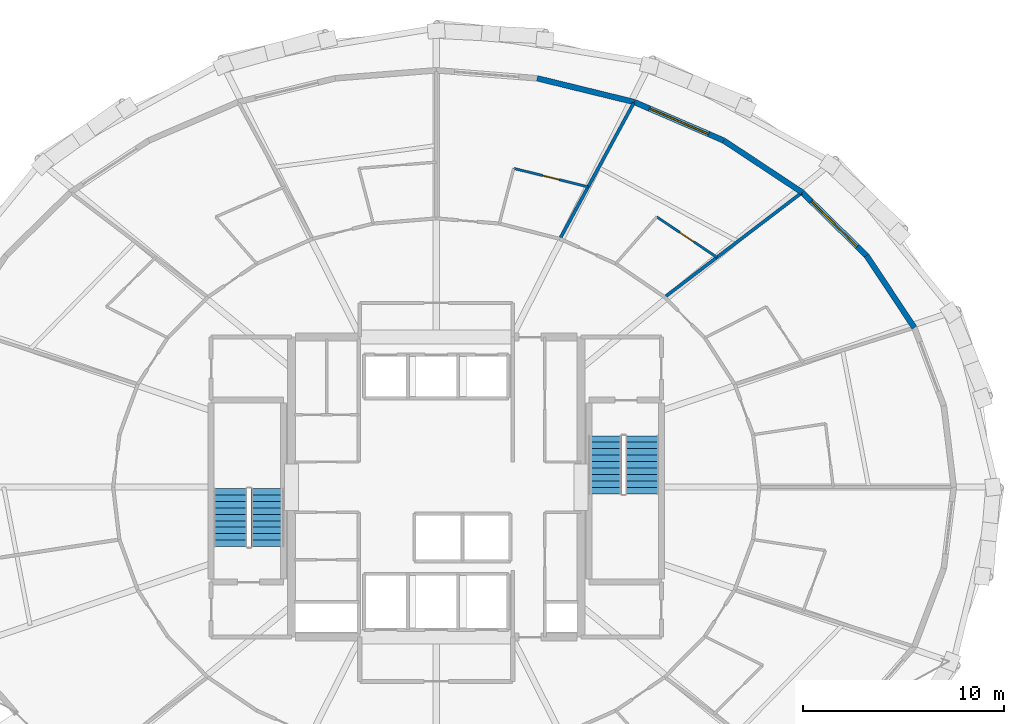
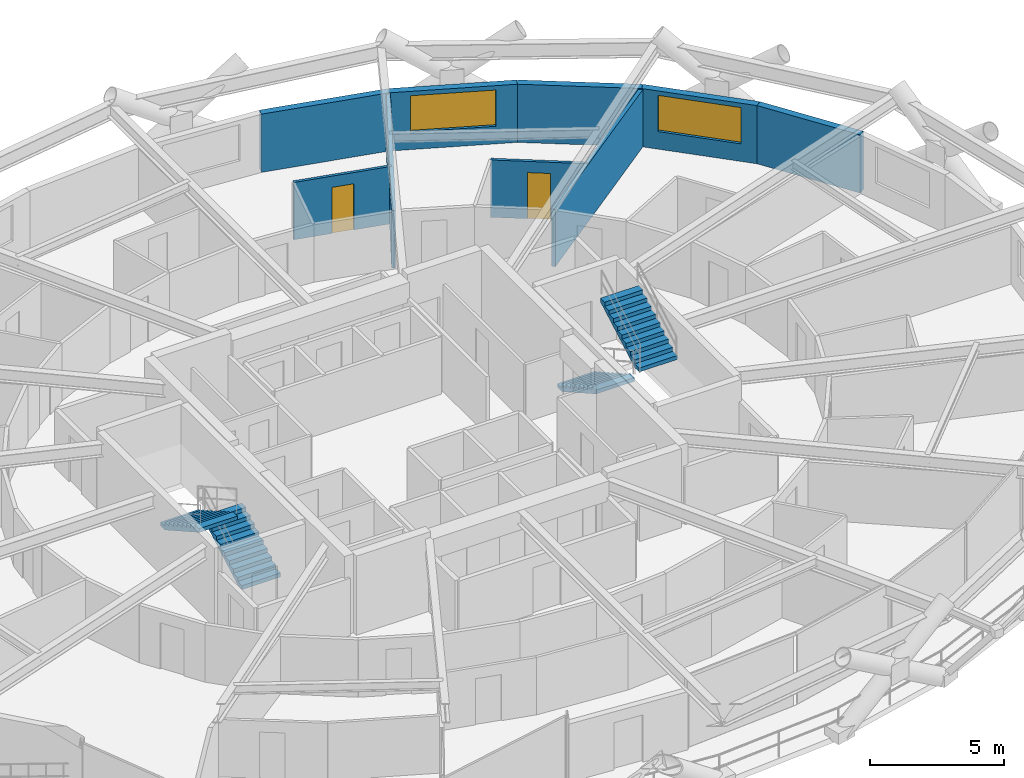
# One storey, part 17 of 19: 9 walls, 4 stair flights, 2 doors, 2 windows, 4 openings, 2 elements without a shape of their own.
"""IFC4 building model written with IfcOpenShell, lengths in metres."""

from ifc_helpers import new_model, si_unit, direction, frame, frame_2d, origin, place, context, subcontext, project, spatial, polyline, rectangle, outline, extrude, material, layer, layer_set, type_object, element, fill, aggregate, save


model = new_model("IFC4")

# Units and contexts
model_context = context("Model", 3, precision=1e-05, world=origin(), true_north=direction((0.0, 1.0)))
body_context = subcontext(model_context, "Body", "Model", "MODEL_VIEW")
ifc_project = project(units=[si_unit("LENGTHUNIT", "METRE"), si_unit("AREAUNIT", "SQUARE_METRE"), si_unit("VOLUMEUNIT", "CUBIC_METRE"), si_unit("PLANEANGLEUNIT", "RADIAN"), si_unit("MASSUNIT", "GRAM", prefix="KILO")], contexts=[model_context])

# Site, building, storey
site_placement = place(None, origin())
site = spatial("IfcSite", under=ifc_project, at=site_placement, CompositionType="ELEMENT")
building_placement = place(site_placement, origin())
building = spatial("IfcBuilding", under=site, at=building_placement, Name="Veldorina Hangang Commons", CompositionType="ELEMENT")
storey_placement = place(building_placement, frame((0.0, 0.0, 34.0)))
storey = spatial("IfcBuildingStorey", under=building, at=storey_placement, Name="L07", CompositionType="ELEMENT", Elevation=34.0)

# Wall
ifc_material_1 = material(Name="Stone Roman Travertine", Category="masonry")
ifc_layer_1 = layer(ifc_material_1, 0.280029296875)
ifc_layer_set_1 = layer_set([ifc_layer_1], Name="Stone Roman Travertine")
wall_type_1 = type_object("IfcWallType", Name="EW-TRAV-280", PredefinedType="STANDARD", material=ifc_layer_set_1)
wall_1_placement = place(storey_placement, frame((55.7509765625, 31.924560546875, 0.0), z_axis=(0.0, 0.0, 1.0), x_axis=(-0.55292873667, 0.833228547377, 0.0)))
element("IfcWall", 1, at=wall_1_placement, inside=storey, type_object=wall_type_1, Name="L07 travertine facade wall 02", PredefinedType="STANDARD", context=body_context, shape_type="SweptSolid", body=[
    extrude(rectangle(XDim=4.296630859375, YDim=0.280029296875, at=frame_2d((2.1484375, 0.0))), origin(), (0.0, 0.0, 1.0), 2.64990234375),
])

# Wall, opening, window
wall_2_placement = place(storey_placement, frame((53.375244140625, 35.504638671875, 0.0), z_axis=(0.0, 0.0, 1.0), x_axis=(-0.713670465871, 0.700481595864, 0.0)))
wall_2 = element("IfcWall", 2, at=wall_2_placement, inside=storey, type_object=wall_type_1, Name="L07 travertine facade wall 03", PredefinedType="STANDARD", context=body_context, shape_type="SweptSolid", body=[
    extrude(rectangle(XDim=4.479736328125, YDim=0.280029296875, at=frame_2d((2.23974609375, 0.0))), origin(), (0.0, 0.0, 1.0), 2.64990234375),
])
opening_1_placement = place(wall_2_placement, frame((0.639892578125, 0.0, 0.800048828125)))
opening_1 = element("IfcOpeningElement", 3, at=opening_1_placement, cuts=wall_2, Name="Opening W-01", PredefinedType="OPENING", context=body_context, shape_type="SweptSolid", body=[
    extrude(rectangle(XDim=3.199951171875, YDim=1.64990234375, at=frame_2d((1.60009765625, 0.824951171875))), frame((0.0, 0.14990234375, 0.0), z_axis=(0.0, -1.0, 0.0), x_axis=(1.0, 0.0, 0.0)), (0.0, 0.0, 1.0), 0.300048828125),
])
ifc_material_2 = material(Name="Glass Low-E Triple IGU", Category="glass")
window_type = type_object("IfcWindowType", Name="WIN-TWR-3200", PartitioningType="SINGLE_PANEL", PredefinedType="WINDOW", material=ifc_material_2)
window_1_placement = place(opening_1_placement, origin())
window_1 = element("IfcWindow", 4, at=window_1_placement, inside=storey, type_object=window_type, Name="L07 facade window 03", OverallHeight=1.64990234375, OverallWidth=3.199951171875, PartitioningType="SINGLE_PANEL", PredefinedType="WINDOW", context=body_context, shape_type="SweptSolid", body=[
    extrude(rectangle(XDim=3.199951171875, YDim=1.64990234375, at=frame_2d((1.60009765625, 0.824951171875))), frame((0.0, 0.030029296875, 0.0), z_axis=(0.0, -1.0, 0.0), x_axis=(1.0, 0.0, 0.0)), (0.0, 0.0, 1.0), 0.06005859375),
])
fill(opening_1, window_1)

# Wall
wall_3_placement = place(storey_placement, frame((50.17822265625, 38.642578125, 0.0), z_axis=(0.0, 0.0, 1.0), x_axis=(-0.834191456714, 0.551474943716, 0.0)))
element("IfcWall", 5, at=wall_3_placement, inside=storey, type_object=wall_type_1, Name="L07 travertine facade wall 04", PredefinedType="STANDARD", context=body_context, shape_type="SweptSolid", body=[
    extrude(rectangle(XDim=4.670166015625, YDim=0.280029296875, at=frame_2d((2.3349609375, 0.0))), origin(), (0.0, 0.0, 1.0), 2.64990234375),
])

# Wall, opening, window
wall_4_placement = place(storey_placement, frame((46.282470703125, 41.218017578125, 0.0), z_axis=(0.0, 0.0, 1.0), x_axis=(-0.918488745996, 0.395447118435, 0.0)))
wall_4 = element("IfcWall", 6, at=wall_4_placement, inside=storey, type_object=wall_type_1, Name="L07 travertine facade wall 05", PredefinedType="STANDARD", context=body_context, shape_type="SweptSolid", body=[
    extrude(rectangle(XDim=4.839111328125, YDim=0.280029296875, at=frame_2d((2.41943359375, 0.0))), origin(), (0.0, 0.0, 1.0), 2.64990234375),
])
opening_2_placement = place(wall_4_placement, frame((0.819580078125, 0.0, 0.800048828125)))
opening_2 = element("IfcOpeningElement", 7, at=opening_2_placement, cuts=wall_4, Name="Opening W-01", PredefinedType="OPENING", context=body_context, shape_type="SweptSolid", body=[
    extrude(rectangle(XDim=3.199951171875, YDim=1.64990234375, at=frame_2d((1.60009765625, 0.824951171875))), frame((0.0, 0.14990234375, 0.0), z_axis=(0.0, -1.0, 0.0), x_axis=(1.0, 0.0, 0.0)), (0.0, 0.0, 1.0), 0.300048828125),
])
window_2_placement = place(opening_2_placement, origin())
window_2 = element("IfcWindow", 8, at=window_2_placement, inside=storey, type_object=window_type, Name="L07 facade window 05", OverallHeight=1.64990234375, OverallWidth=3.199951171875, PartitioningType="SINGLE_PANEL", PredefinedType="WINDOW", context=body_context, shape_type="SweptSolid", body=[
    extrude(rectangle(XDim=3.199951171875, YDim=1.64990234375, at=frame_2d((1.60009765625, 0.824951171875))), frame((0.0, 0.030029296875, 0.0), z_axis=(0.0, -1.0, 0.0), x_axis=(1.0, 0.0, 0.0)), (0.0, 0.0, 1.0), 0.06005859375),
])
fill(opening_2, window_2)

# Walls
wall_5_placement = place(storey_placement, frame((41.837890625, 43.131591796875, 0.0), z_axis=(0.0, 0.0, 1.0), x_axis=(-0.971416145281, 0.237382966297, 0.0)))
element("IfcWall", 9, at=wall_5_placement, inside=storey, type_object=wall_type_1, Name="L07 travertine facade wall 06", PredefinedType="STANDARD", context=body_context, shape_type="SweptSolid", body=[
    extrude(rectangle(XDim=4.96435546875, YDim=0.280029296875, at=frame_2d((2.482177734375, 0.0))), origin(), (0.0, 0.0, 1.0), 2.64990234375),
])
ifc_material_3 = material(Name="Gypsum Fire-Rated Twin Stud Wall", Category="gypsum")
ifc_layer_2 = layer(ifc_material_3, 0.159912109375)
ifc_layer_set_2 = layer_set([ifc_layer_2], Name="Gypsum Fire-Rated Twin Stud Wall")
wall_type_2 = type_object("IfcWallType", Name="WL-FIRE-160", PredefinedType="SOLIDWALL", material=ifc_layer_set_2)
wall_6_placement = place(storey_placement, frame((43.34912109375, 33.43994140625, 0.0), z_axis=(0.0, 0.0, 1.0), x_axis=(0.795456671163, 0.606010465506, 0.0)))
element("IfcWall", 10, at=wall_6_placement, inside=storey, type_object=wall_type_2, Name="L07 Unit party wall 04 100", PredefinedType="SOLIDWALL", context=body_context, shape_type="SweptSolid", body=[
    extrude(rectangle(XDim=8.53515625, YDim=0.159912109375, at=frame_2d((4.267578125, 0.0))), origin(), (0.0, 0.0, 1.0), 2.610107421875),
])
wall_7_placement = place(storey_placement, frame((38.14208984375, 36.333740234375, 0.0), z_axis=(0.0, 0.0, 1.0), x_axis=(0.477665740343, 0.878541655531, 0.0)))
element("IfcWall", 11, at=wall_7_placement, inside=storey, type_object=wall_type_2, Name="L07 Unit party wall 06 103", PredefinedType="SOLIDWALL", context=body_context, shape_type="SweptSolid", body=[
    extrude(rectangle(XDim=7.687744140625, YDim=0.159912109375, at=frame_2d((3.84375, 0.0))), origin(), (0.0, 0.0, 1.0), 2.610107421875),
])

# Wall, opening, door
ifc_material_4 = material(Name="Gypsum Acoustic Stud Partition", Category="gypsum")
ifc_layer_3 = layer(ifc_material_4, 0.1201171875)
ifc_layer_set_3 = layer_set([ifc_layer_3], Name="Gypsum Acoustic Stud Partition")
wall_type_3 = type_object("IfcWallType", Name="WL-PART-120", PredefinedType="PARTITIONING", material=ifc_layer_set_3)
wall_8_placement = place(storey_placement, frame((45.944091796875, 35.4169921875, 0.0), z_axis=(0.0, 0.0, 1.0), x_axis=(-0.830041751771, 0.557701255438, 0.0)))
wall_8 = element("IfcWall", 12, at=wall_8_placement, inside=storey, type_object=wall_type_3, Name="L07 Studio 7 bath front wall 101", PredefinedType="PARTITIONING", context=body_context, shape_type="SweptSolid", body=[
    extrude(rectangle(XDim=3.60009765625, YDim=0.1201171875, at=frame_2d((1.800048828125, 0.0))), origin(), (0.0, 0.0, 1.0), 2.610107421875),
])
opening_3_placement = place(wall_8_placement, frame((1.3701171875, 0.0, 0.0)))
opening_3 = element("IfcOpeningElement", 13, at=opening_3_placement, cuts=wall_8, Name="Opening D-01", PredefinedType="OPENING", context=body_context, shape_type="SweptSolid", body=[
    extrude(rectangle(XDim=0.860107421875, YDim=2.10009765625, at=frame_2d((0.43017578125, 1.050048828125))), frame((0.0, 0.070068359375, 0.0), z_axis=(0.0, -1.0, 0.0), x_axis=(1.0, 0.0, 0.0)), (0.0, 0.0, 1.0), 0.14013671875),
])
ifc_material_5 = material(Name="Timber Moisture-Resistant Core", Category="wood")
door_type = type_object("IfcDoorType", Name="DR-WET-860", OperationType="SINGLE_SWING_LEFT", PredefinedType="DOOR", material=ifc_material_5)
door_1_placement = place(opening_3_placement, origin())
door_1 = element("IfcDoor", 14, at=door_1_placement, inside=storey, type_object=door_type, Name="L07 Studio 7 bathroom door 032", OperationType="SINGLE_SWING_RIGHT", OverallHeight=2.10009765625, OverallWidth=0.860107421875, PredefinedType="DOOR", context=body_context, shape_type="SweptSolid", body=[
    extrude(rectangle(XDim=0.860107421875, YDim=2.10009765625, at=frame_2d((0.43017578125, 1.050048828125))), frame((0.0, 0.02490234375, 0.0), z_axis=(0.0, -1.0, 0.0), x_axis=(1.0, 0.0, 0.0)), (0.0, 0.0, 1.0), 0.050048828125),
])
fill(opening_3, door_1)

wall_9_placement = place(storey_placement, frame((39.54638671875, 38.9169921875, 0.0), z_axis=(0.0, 0.0, 1.0), x_axis=(-0.970518106829, 0.241028223073, 0.0)))
wall_9 = element("IfcWall", 15, at=wall_9_placement, inside=storey, type_object=wall_type_3, Name="L07 Studio 8 bath front wall 104", PredefinedType="PARTITIONING", context=body_context, shape_type="SweptSolid", body=[
    extrude(rectangle(XDim=3.8115234375, YDim=0.1201171875, at=frame_2d((1.90576171875, 0.0))), origin(), (0.0, 0.0, 1.0), 2.610107421875),
])
opening_4_placement = place(wall_9_placement, frame((1.475830078125, 0.0, 0.0)))
opening_4 = element("IfcOpeningElement", 16, at=opening_4_placement, cuts=wall_9, Name="Opening D-01", PredefinedType="OPENING", context=body_context, shape_type="SweptSolid", body=[
    extrude(rectangle(XDim=0.860107421875, YDim=2.10009765625, at=frame_2d((0.43017578125, 1.050048828125))), frame((0.0, 0.070068359375, 0.0), z_axis=(0.0, -1.0, 0.0), x_axis=(1.0, 0.0, 0.0)), (0.0, 0.0, 1.0), 0.14013671875),
])
door_2_placement = place(opening_4_placement, origin())
door_2 = element("IfcDoor", 17, at=door_2_placement, inside=storey, type_object=door_type, Name="L07 Studio 8 bathroom door 034", OperationType="SINGLE_SWING_RIGHT", OverallHeight=2.10009765625, OverallWidth=0.860107421875, PredefinedType="DOOR", context=body_context, shape_type="SweptSolid", body=[
    extrude(rectangle(XDim=0.860107421875, YDim=2.10009765625, at=frame_2d((0.43017578125, 1.050048828125))), frame((0.0, 0.02490234375, 0.0), z_axis=(0.0, -1.0, 0.0), x_axis=(1.0, 0.0, 0.0)), (0.0, 0.0, 1.0), 0.050048828125),
])
fill(opening_4, door_2)

# Stair, stair flights
ifc_material_6 = material(Name="Concrete C40/50", Category="concrete")
stair_type = type_object("IfcStairType", Name="STR-DOG-1650-20R", PredefinedType="HALF_TURN_STAIR", material=ifc_material_6)
stair_1_placement = place(storey_placement, origin())
stair_1 = element("IfcStair", 18, at=stair_1_placement, inside=storey, type_object=stair_type, Name="L07 Exit stair ST-1", PredefinedType="HALF_TURN_STAIR")
stair_flight_type = type_object("IfcStairFlightType", Name="SFL-STR-1650-20R", PredefinedType="STRAIGHT", material=ifc_material_6)
stair_flight_1_placement = place(storey_placement, frame((23.625, 21.050048828125, 0.0), z_axis=(0.0, 0.0, 1.0), x_axis=(0.0, 1.0, 0.0)))
stair_flight_1 = element("IfcStairFlight", 19, at=stair_flight_1_placement, type_object=stair_flight_type, Name="ST-1 flight 1", NumberOfRisers=10, NumberOfTreads=9, PredefinedType="STRAIGHT", RiserHeight=0.18, TreadLength=0.32, context=body_context, shape_type="SweptSolid", body=[
    extrude(outline(polyline([(0.0, 0.0), (0.0, 0.179931640625), (0.320068359375, 0.179931640625), (0.320068359375, 0.360107421875), (0.639892578125, 0.360107421875), (0.639892578125, 0.5400390625), (0.9599609375, 0.5400390625), (0.9599609375, 0.719970703125), (1.280029296875, 0.719970703125), (1.280029296875, 0.89990234375), (1.60009765625, 0.89990234375), (1.60009765625, 1.080078125), (1.919921875, 1.080078125), (1.919921875, 1.260009765625), (2.239990234375, 1.260009765625), (2.239990234375, 1.43994140625), (2.56005859375, 1.43994140625), (2.56005859375, 1.6201171875), (2.8798828125, 1.6201171875), (2.8798828125, 1.800048828125), (2.8798828125, 1.447998046875), (0.3056640625, 0.0), (0.0, 0.0)])), frame((0.0, 0.824951171875, 0.0), z_axis=(0.0, -1.0, 0.0), x_axis=(1.0, 0.0, 0.0)), (0.0, 0.0, 1.0), 1.64990234375),
])
stair_flight_2_placement = place(storey_placement, frame((21.77490234375, 23.929931640625, 1.800048828125), z_axis=(0.0, 0.0, 1.0), x_axis=(0.0, -1.0, 0.0)))
stair_flight_2 = element("IfcStairFlight", 20, at=stair_flight_2_placement, type_object=stair_flight_type, Name="ST-1 flight 2", NumberOfRisers=10, NumberOfTreads=9, PredefinedType="STRAIGHT", RiserHeight=0.18, TreadLength=0.32, context=body_context, shape_type="SweptSolid", body=[
    extrude(outline(polyline([(0.0, 0.0), (0.0, 0.179931640625), (0.320068359375, 0.179931640625), (0.320068359375, 0.360107421875), (0.639892578125, 0.360107421875), (0.639892578125, 0.5400390625), (0.9599609375, 0.5400390625), (0.9599609375, 0.719970703125), (1.280029296875, 0.719970703125), (1.280029296875, 0.89990234375), (1.60009765625, 0.89990234375), (1.60009765625, 1.080078125), (1.919921875, 1.080078125), (1.919921875, 1.260009765625), (2.239990234375, 1.260009765625), (2.239990234375, 1.43994140625), (2.56005859375, 1.43994140625), (2.56005859375, 1.6201171875), (2.8798828125, 1.6201171875), (2.8798828125, 1.800048828125), (2.8798828125, 1.447998046875), (0.3056640625, 0.0), (0.0, 0.0)])), frame((0.0, 0.824951171875, 0.0), z_axis=(0.0, -1.0, 0.0), x_axis=(1.0, 0.0, 0.0)), (0.0, 0.0, 1.0), 1.64990234375),
])
aggregate(stair_1, [stair_flight_1, stair_flight_2])

stair_2_placement = place(storey_placement, origin())
stair_2 = element("IfcStair", 21, at=stair_2_placement, inside=storey, type_object=stair_type, Name="L07 Exit stair ST-2", PredefinedType="HALF_TURN_STAIR")
stair_flight_3_placement = place(storey_placement, frame((40.375, 26.550048828125, 0.0), z_axis=(0.0, 0.0, 1.0), x_axis=(0.0, -1.0, 0.0)))
stair_flight_3 = element("IfcStairFlight", 22, at=stair_flight_3_placement, type_object=stair_flight_type, Name="ST-2 flight 1", NumberOfRisers=10, NumberOfTreads=9, PredefinedType="STRAIGHT", RiserHeight=0.18, TreadLength=0.32, context=body_context, shape_type="SweptSolid", body=[
    extrude(outline(polyline([(0.0, 0.0), (0.0, 0.179931640625), (0.320068359375, 0.179931640625), (0.320068359375, 0.360107421875), (0.639892578125, 0.360107421875), (0.639892578125, 0.5400390625), (0.9599609375, 0.5400390625), (0.9599609375, 0.719970703125), (1.280029296875, 0.719970703125), (1.280029296875, 0.89990234375), (1.60009765625, 0.89990234375), (1.60009765625, 1.080078125), (1.919921875, 1.080078125), (1.919921875, 1.260009765625), (2.239990234375, 1.260009765625), (2.239990234375, 1.43994140625), (2.56005859375, 1.43994140625), (2.56005859375, 1.6201171875), (2.8798828125, 1.6201171875), (2.8798828125, 1.800048828125), (2.8798828125, 1.447998046875), (0.3056640625, 0.0), (0.0, 0.0)])), frame((0.0, 0.824951171875, 0.0), z_axis=(0.0, -1.0, 0.0), x_axis=(1.0, 0.0, 0.0)), (0.0, 0.0, 1.0), 1.64990234375),
])
stair_flight_4_placement = place(storey_placement, frame((42.22509765625, 23.669921875, 1.800048828125), z_axis=(0.0, 0.0, 1.0), x_axis=(0.0, 1.0, 0.0)))
stair_flight_4 = element("IfcStairFlight", 23, at=stair_flight_4_placement, type_object=stair_flight_type, Name="ST-2 flight 2", NumberOfRisers=10, NumberOfTreads=9, PredefinedType="STRAIGHT", RiserHeight=0.18, TreadLength=0.32, context=body_context, shape_type="SweptSolid", body=[
    extrude(outline(polyline([(0.0, 0.0), (0.0, 0.179931640625), (0.320068359375, 0.179931640625), (0.320068359375, 0.360107421875), (0.639892578125, 0.360107421875), (0.639892578125, 0.5400390625), (0.9599609375, 0.5400390625), (0.9599609375, 0.719970703125), (1.280029296875, 0.719970703125), (1.280029296875, 0.89990234375), (1.60009765625, 0.89990234375), (1.60009765625, 1.080078125), (1.919921875, 1.080078125), (1.919921875, 1.260009765625), (2.239990234375, 1.260009765625), (2.239990234375, 1.43994140625), (2.56005859375, 1.43994140625), (2.56005859375, 1.6201171875), (2.8798828125, 1.6201171875), (2.8798828125, 1.800048828125), (2.8798828125, 1.447998046875), (0.3056640625, 0.0), (0.0, 0.0)])), frame((0.0, 0.824951171875, 0.0), z_axis=(0.0, -1.0, 0.0), x_axis=(1.0, 0.0, 0.0)), (0.0, 0.0, 1.0), 1.64990234375),
])
aggregate(stair_2, [stair_flight_3, stair_flight_4])

save(model, "model.ifc")
